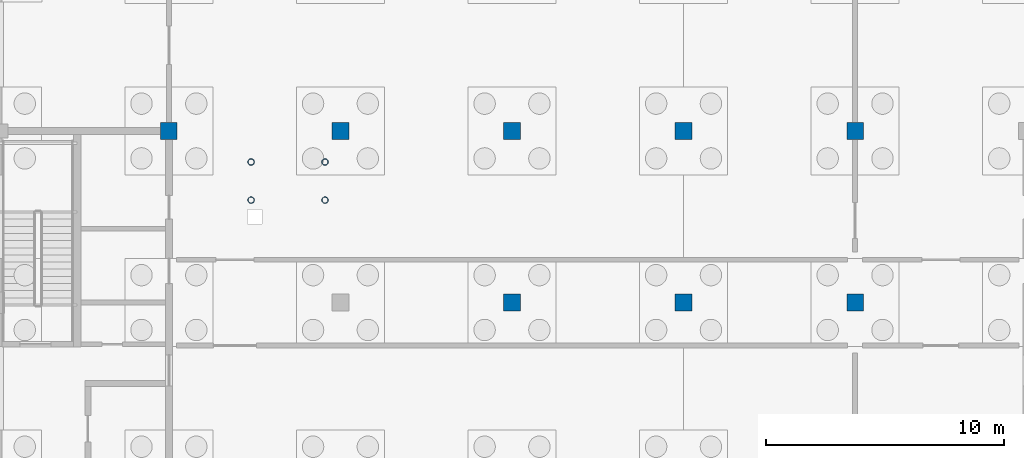
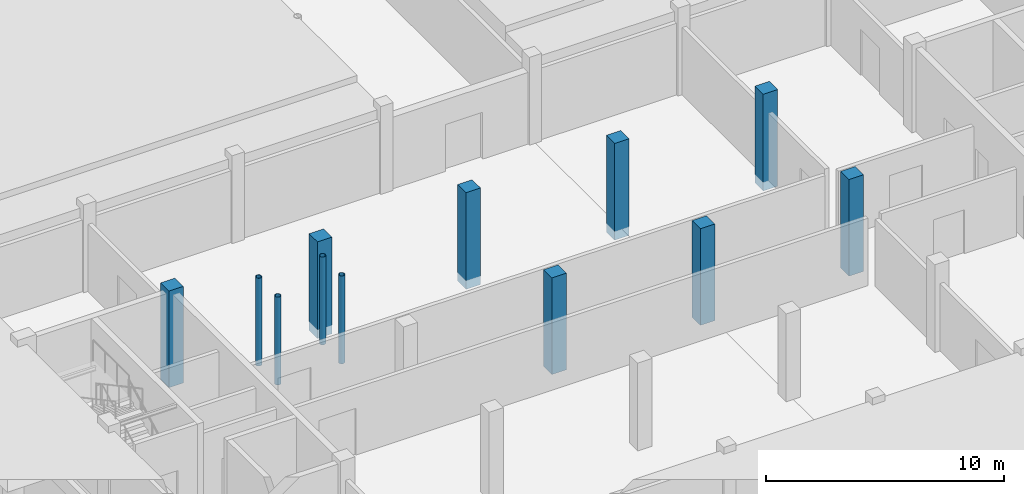
# One storey, part 13 of 51: 12 columns.
"""IFC4 building model written with IfcOpenShell, lengths in metres."""

from ifc_helpers import new_model, si_unit, direction, frame, origin, origin_2d, place, context, subcontext, project, spatial, rectangle, hollow_circle, extrude, material, material_profile, profile_set, type_object, element, save


model = new_model("IFC4")

# Units and contexts
model_context = context("Model", 3, precision=1e-05, world=origin(), true_north=direction((0.0, 1.0)))
body_context = subcontext(model_context, "Body", "Model", "MODEL_VIEW")
ifc_project = project(units=[si_unit("LENGTHUNIT", "METRE"), si_unit("AREAUNIT", "SQUARE_METRE"), si_unit("VOLUMEUNIT", "CUBIC_METRE"), si_unit("PLANEANGLEUNIT", "RADIAN"), si_unit("MASSUNIT", "GRAM", prefix="KILO")], contexts=[model_context])

# Site, building, storey
site_placement = place(None, origin())
site = spatial("IfcSite", under=ifc_project, at=site_placement, CompositionType="ELEMENT")
building_placement = place(site_placement, origin())
building = spatial("IfcBuilding", under=site, at=building_placement, Name="Zlatovets Crest Museum", CompositionType="ELEMENT")
storey_placement = place(building_placement, frame((0.0, 0.0, -4.5)))
storey = spatial("IfcBuildingStorey", under=building, at=storey_placement, Name="B1", CompositionType="ELEMENT", Elevation=-4.5)

# Columns
ifc_material_1 = material(Name="Concrete C35/45", Category="concrete")
ifc_material_profile_1 = material_profile(ifc_material_1, rectangle(XDim=0.699951171875, YDim=0.699951171875, at=origin_2d()), Name="RC 700x700")
ifc_profile_set_1 = profile_set([ifc_material_profile_1], Name="Concrete C35/45")
column_type_1 = type_object("IfcColumnType", Name="Col_C-01", PredefinedType="COLUMN", material=ifc_profile_set_1)
for number, where, z_axis, x_axis, name in (
    (1, (64.800048828125, 21.60009765625, -0.449951171875), (0.0, 0.0, 1.0), (1.0, 0.0, 0.0), "V2 B1 Column (64.8, 21.6)"),
    (2, (72.0, 21.60009765625, -0.449951171875), (0.0, 0.0, 1.0), (0.0, 1.0, 0.0), "V2 B1 Column (72.0, 21.6)"),
    (3, (79.199951171875, 14.39990234375, -0.449951171875), (0.0, 0.0, 1.0), (0.0, 1.0, 0.0), "V2 B1 Column (79.2, 14.4)"),
    (4, (79.199951171875, 21.60009765625, -0.449951171875), (0.0, 0.0, 1.0), (1.0, 0.0, 0.0), "V2 B1 Column (79.2, 21.6)"),
    (5, (86.39990234375, 14.39990234375, -0.449951171875), (0.0, 0.0, 1.0), (1.0, 0.0, 0.0), "V2 B1 Column (86.4, 14.4)"),
    (6, (86.39990234375, 21.60009765625, -0.449951171875), (0.0, 0.0, 1.0), (0.0, 1.0, 0.0), "V2 B1 Column (86.4, 21.6)"),
    (7, (93.60009765625, 14.39990234375, -0.449951171875), (0.0, 0.0, 1.0), (0.0, 1.0, 0.0), "V2 B1 Column (93.6, 14.4)"),
    (8, (93.60009765625, 21.60009765625, -0.449951171875), (0.0, 0.0, 1.0), (1.0, 0.0, 0.0), "V2 B1 Column (93.6, 21.6)"),
):
    element("IfcColumn", number, at=place(storey_placement, frame(where, z_axis=z_axis, x_axis=x_axis)), inside=storey, type_object=column_type_1, Name=name, PredefinedType="COLUMN", context=body_context, shape_type="SweptSolid", body=[
        extrude(rectangle(XDim=0.699951171875, YDim=0.699951171875, at=origin_2d()), origin(), (0.0, 0.0, 1.0), 4.949951171875),
    ])
ifc_material_2 = material(Name="Structural steel S355J2", Category="steel")
ifc_material_profile_2 = material_profile(ifc_material_2, hollow_circle(Radius=0.136474609375, WallThickness=0.012451171875, at=origin_2d()), Name="CHS 273.0x12.5")
ifc_profile_set_2 = profile_set([ifc_material_profile_2], Name="Structural steel S355J2")
column_type_2 = type_object("IfcColumnType", Name="Col_C-14", PredefinedType="COLUMN", material=ifc_profile_set_2)
for number, where, z_axis, x_axis, name in (
    (9, (68.25, 18.699951171875, 0.0), (0.0, 0.0, 1.0), (1.0, 0.0, 0.0), "Atrium Feature Stair Support Column"),
    (10, (71.35009765625, 18.699951171875, 0.0), (0.0, 0.0, 1.0), (1.0, 0.0, 0.0), "Atrium Feature Stair Support Column"),
    (11, (68.25, 20.300048828125, 0.0), (0.0, 0.0, 1.0), (1.0, 0.0, 0.0), "Atrium Feature Stair Support Column"),
    (12, (71.35009765625, 20.300048828125, 0.0), (0.0, 0.0, 1.0), (1.0, 0.0, 0.0), "Atrium Feature Stair Support Column"),
):
    element("IfcColumn", number, at=place(storey_placement, frame(where, z_axis=z_axis, x_axis=x_axis)), inside=storey, type_object=column_type_2, Name=name, PredefinedType="COLUMN", context=body_context, shape_type="SweptSolid", body=[
        extrude(hollow_circle(Radius=0.136474609375, WallThickness=0.012451171875, at=origin_2d()), origin(), (0.0, 0.0, 1.0), 4.5),
    ])

save(model, "model.ifc")
